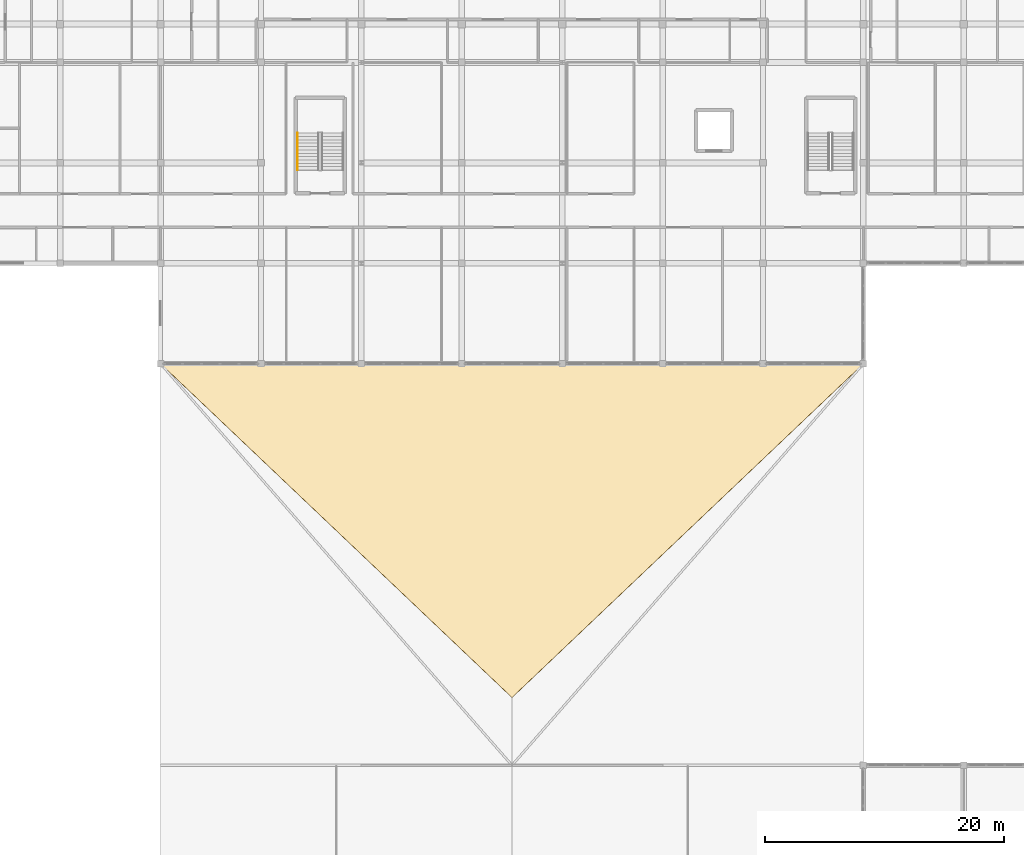
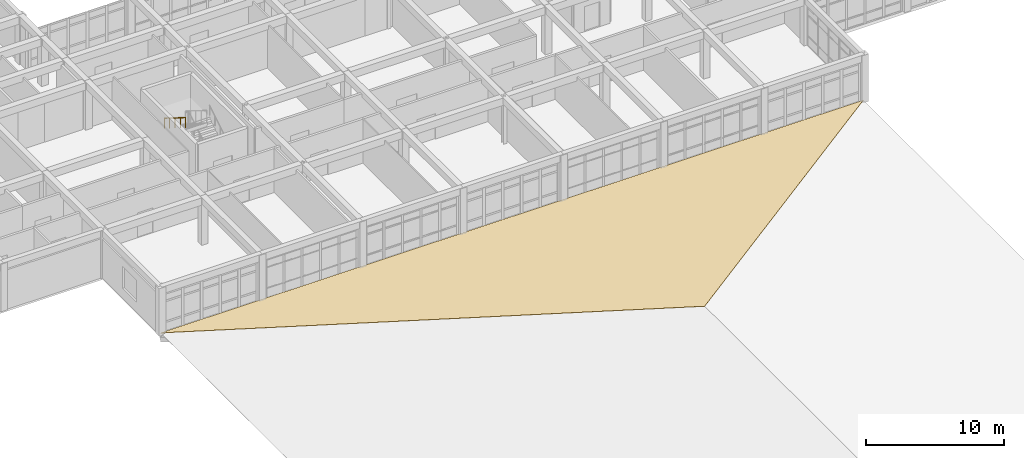
# One storey, part 67 of 77: 1 covering, 1 railing, 1 element without a shape of its own.
"""IFC4 building model written with IfcOpenShell, lengths in metres."""

import ifcopenshell
import ifcopenshell.guid

model = None  # the IFC model being written
_history = None  # IfcOwnerHistory: only IFC2X3 demands one
_inside = {}  # id of a spatial element -> (the spatial element, [elements in it])
_under = {}  # id of a project, library or spatial element -> (it, [spatial elements below it])
_declared = {}  # id of a project -> (the project, [libraries it declares])
_typed = {}  # id of a type object -> (the type object, [elements of that type])
_made_of = {}  # id of a material, layer set ... -> (it, [elements and type objects made of it])


def new_model(schema):
    """Start an empty IFC model of exactly this schema.

    Asked for "IFC4X3", IfcOpenShell would pick the latest addendum, in which some entities
    have other attributes; the version numbers below select the first issue.
    IFC2X3 requires an IfcOwnerHistory on every rooted entity: one is made here for all.
    """
    global model, _history
    if schema == "IFC4X3":
        model = ifcopenshell.file(schema_version=(4, 3, 0, 0))
    else:
        model = ifcopenshell.file(schema=schema)
    _inside.clear()
    _under.clear()
    _declared.clear()
    _typed.clear()
    _made_of.clear()
    _history = None
    if model.schema == "IFC2X3":
        org = make("IfcOrganization", Name="unknown")
        user = make(
            "IfcPersonAndOrganization",
            ThePerson=make("IfcPerson", FamilyName="unknown"),
            TheOrganization=org,
        )
        app = make(
            "IfcApplication",
            ApplicationDeveloper=org,
            Version="unknown",
            ApplicationFullName="unknown",
            ApplicationIdentifier="unknown",
        )
        _history = make(
            "IfcOwnerHistory",
            OwningUser=user,
            OwningApplication=app,
            ChangeAction="ADDED",
            CreationDate=0,
        )
    return model


def make(cls, **values):
    """One entity of the class cls with the attributes given. An attribute that is None is left unset."""
    return model.create_entity(
        cls, **{name: value for name, value in values.items() if value is not None}
    )


def rooted(cls, **values):
    """An entity with a GlobalId (a new one), such as an element, a storey or a relation."""
    return make(cls, GlobalId=ifcopenshell.guid.new(), OwnerHistory=_history, **values)


def si_unit(unit_type, name, prefix=None):
    """IfcSIUnit, for example si_unit("LENGTHUNIT", "METRE", prefix="MILLI")."""
    return make("IfcSIUnit", UnitType=unit_type, Prefix=prefix, Name=name)


def assignment(units):
    """IfcUnitAssignment: the units of a project."""
    return None if units is None else make("IfcUnitAssignment", Units=units)


def point(xyz):
    """IfcCartesianPoint."""
    return None if xyz is None else make("IfcCartesianPoint", Coordinates=xyz)


def direction(xyz):
    """IfcDirection."""
    return None if xyz is None else make("IfcDirection", DirectionRatios=xyz)


def frame(location, z_axis=None, x_axis=None):
    """IfcAxis2Placement3D, a coordinate frame: its origin and axes. An axis left out is left unset."""
    return make(
        "IfcAxis2Placement3D",
        Location=point(location),
        Axis=direction(z_axis),
        RefDirection=direction(x_axis),
    )


def frame_2d(location, x_axis=None):
    """IfcAxis2Placement2D, a coordinate frame in the plane: its origin and x axis."""
    return make(
        "IfcAxis2Placement2D", Location=point(location), RefDirection=direction(x_axis)
    )


def origin():
    """The frame at (0, 0, 0) with its axes left unset."""
    return frame((0.0, 0.0, 0.0))


def origin_2d():
    """The frame at (0, 0) in the plane with its x axis left unset."""
    return frame_2d((0.0, 0.0))


def place(relative_to, where):
    """IfcLocalPlacement: puts the frame where relative to a parent placement (None: the world)."""
    return make(
        "IfcLocalPlacement", PlacementRelTo=relative_to, RelativePlacement=where
    )


def context(
    kind, dimensions, precision=None, world=None, true_north=None, identifier=None
):
    """IfcGeometricRepresentationContext, for example the 3D "Model" context."""
    return make(
        "IfcGeometricRepresentationContext",
        ContextIdentifier=identifier,
        ContextType=kind,
        CoordinateSpaceDimension=dimensions,
        Precision=precision,
        WorldCoordinateSystem=world,
        TrueNorth=true_north,
    )


def subcontext(parent, identifier, kind, view, scale=None):
    """IfcGeometricRepresentationSubContext, for example "Body" below "Model"."""
    return make(
        "IfcGeometricRepresentationSubContext",
        ContextIdentifier=identifier,
        ContextType=kind,
        ParentContext=parent,
        TargetScale=scale,
        TargetView=view,
    )


def project(units=None, contexts=None):
    """IfcProject with its units and contexts."""
    return rooted(
        "IfcProject",
        Name="project",
        RepresentationContexts=contexts,
        UnitsInContext=assignment(units),
    )


def spatial(cls, under=None, at=None, **own):
    """A site, building, storey or space (cls), placed at a placement, below another one or the project."""
    s = rooted(cls, ObjectPlacement=at, **own)
    if under is not None:
        _under.setdefault(under.id(), (under, []))[1].append(s)
    return s


def polyline(points):
    """IfcPolyline through the points."""
    return make("IfcPolyline", Points=[point(p) for p in points])


def profile(cls, at=None, kind="AREA", **sizes):
    """A parametric profile (cls). Its sizes go by their IFC names, for example OverallWidth=200.0."""
    return make(cls, ProfileType=kind, Position=at, **sizes)


def circle(**sizes):
    """IfcCircleProfileDef."""
    return profile("IfcCircleProfileDef", **sizes)


def outline(outer, holes=None, kind="AREA"):
    """IfcArbitraryClosedProfileDef: a profile drawn as a closed curve; with holes, ...WithVoids."""
    if holes is None:
        return make("IfcArbitraryClosedProfileDef", ProfileType=kind, OuterCurve=outer)
    return make(
        "IfcArbitraryProfileDefWithVoids",
        ProfileType=kind,
        OuterCurve=outer,
        InnerCurves=holes,
    )


def extrude(swept, where, along, depth):
    """IfcExtrudedAreaSolid: the profile swept, set in the frame where, extruded along a direction by depth."""
    return make(
        "IfcExtrudedAreaSolid",
        SweptArea=swept,
        Position=where,
        ExtrudedDirection=direction(along),
        Depth=depth,
    )


def shape(context_of_items, identifier, shape_type, items):
    """IfcShapeRepresentation: the items that make up one representation, for example the "Body"."""
    return make(
        "IfcShapeRepresentation",
        ContextOfItems=context_of_items,
        RepresentationIdentifier=identifier,
        RepresentationType=shape_type,
        Items=items,
    )


def material(Name=None, Category=None):
    """IfcMaterial."""
    return make("IfcMaterial", Name=Name, Category=Category)


def layer(
    of_material, thickness, ventilated=None, Name=None, Category=None, Priority=None
):
    """IfcMaterialLayer: one layer of a wall or slab, of a material (None: an air gap)."""
    return make(
        "IfcMaterialLayer",
        Material=of_material,
        LayerThickness=thickness,
        IsVentilated=ventilated,
        Name=Name,
        Category=Category,
        Priority=Priority,
    )


def layer_set(layers, Name=None):
    """IfcMaterialLayerSet."""
    return make("IfcMaterialLayerSet", MaterialLayers=layers, LayerSetName=Name)


def made_of(thing, what):
    """Note that an element or type object is made of a material, layer set ...; save() writes the relation."""
    if what is not None:
        _made_of.setdefault(what.id(), (what, []))[1].append(thing)
    return thing


def type_object(cls, material=None, **own):
    """A type object (cls), such as IfcWallType, which elements share."""
    return made_of(rooted(cls, **own), material)


def element(
    cls,
    number,
    at=None,
    inside=None,
    cuts=None,
    type_object=None,
    material=None,
    context=None,
    identifier="Body",
    shape_type=None,
    held_by="IfcProductDefinitionShape",
    body=None,
    shapes=None,
    **own,
):
    """One element of the class cls, such as IfcWall. Its Tag is "e" and its number.

    at: its placement. inside: the storey or other place that contains it. cuts: it is an
    opening in that element (IfcRelVoidsElement). A single representation is given by context,
    identifier, shape_type and body (its items); several are given by shapes. held_by: the class
    of the entity that holds the representations. save() writes the other relations.
    """
    e = rooted(cls, Tag="e%d" % number, ObjectPlacement=at, **own)
    if body is not None:
        shapes = [shape(context, identifier, shape_type, body)]
    if shapes is not None:
        e.Representation = make(held_by, Representations=shapes)
    if inside is not None:
        _inside.setdefault(inside.id(), (inside, []))[1].append(e)
    if cuts is not None:
        rooted(
            "IfcRelVoidsElement", RelatingBuildingElement=cuts, RelatedOpeningElement=e
        )
    if type_object is not None:
        _typed.setdefault(type_object.id(), (type_object, []))[1].append(e)
    return made_of(e, material)


def aggregate(whole, parts):
    """IfcRelAggregates: a whole, such as a stair, and the parts it consists of."""
    return rooted("IfcRelAggregates", RelatingObject=whole, RelatedObjects=parts)


def save(model, path):
    """Write the relations noted so far, then the file.

    IfcRelAggregates (storeys below a building ...), IfcRelContainedInSpatialStructure (elements
    in a storey), IfcRelDefinesByType, IfcRelAssociatesMaterial and IfcRelDeclares: one each for
    every whole, place, type object, material and project.
    """
    for whole, parts in _under.values():
        aggregate(whole, parts)
    for where, things in _inside.values():
        rooted(
            "IfcRelContainedInSpatialStructure",
            RelatedElements=things,
            RelatingStructure=where,
        )
    for kind, things in _typed.values():
        rooted("IfcRelDefinesByType", RelatedObjects=things, RelatingType=kind)
    for what, things in _made_of.values():
        rooted("IfcRelAssociatesMaterial", RelatedObjects=things, RelatingMaterial=what)
    for by, libraries in _declared.values():
        rooted("IfcRelDeclares", RelatingContext=by, RelatedDefinitions=libraries)
    model.write(path)


model = new_model("IFC4")

# Units and contexts
model_context = context("Model", 3, precision=1e-05, world=origin(), true_north=direction((0.0, 1.0)))
body_context = subcontext(model_context, "Body", "Model", "MODEL_VIEW")
ifc_project = project(units=[si_unit("LENGTHUNIT", "METRE"), si_unit("AREAUNIT", "SQUARE_METRE"), si_unit("VOLUMEUNIT", "CUBIC_METRE"), si_unit("PLANEANGLEUNIT", "RADIAN"), si_unit("MASSUNIT", "GRAM", prefix="KILO")], contexts=[model_context])

# Site, building, storey
site_placement = place(None, origin())
site = spatial("IfcSite", under=ifc_project, at=site_placement, CompositionType="ELEMENT")
building_placement = place(site_placement, origin())
building = spatial("IfcBuilding", under=site, at=building_placement, Name="Varncliffe General Hospital", CompositionType="ELEMENT")
storey_placement = place(building_placement, frame((0.0, 0.0, 16.199951171875)))
storey = spatial("IfcBuildingStorey", under=building, at=storey_placement, Name="L03", CompositionType="ELEMENT", Elevation=16.199951171875)

# Railing
ifc_material_1 = material(Name="Powder-coated hospital steel guardrail and handrail", Category="steel")
railing_type = type_object("IfcRailingType", Name="Stair and Ramp Handrail HR46", PredefinedType="HANDRAIL", material=ifc_material_1)
railing_placement = place(storey_placement, frame((70.25, 93.679931640625, 2.4541015625)))
element("IfcRailing", 1, at=railing_placement, inside=storey, type_object=railing_type, Name="L03 ST12 stair handrail 2", PredefinedType="HANDRAIL", context=body_context, shape_type="SweptSolid", body=[
    extrude(circle(Radius=0.02392578125, at=origin_2d()), frame((0.0, 0.0, 0.8759765625), z_axis=(0.0, -0.847979421464, 0.530029150871), x_axis=(1.0, 0.0, 0.0)), (0.0, 0.0, 1.0), 3.632080078125),
    extrude(circle(Radius=0.02099609375, at=origin_2d()), origin(), (0.0, 0.0, 1.0), 0.851806640625),
    extrude(circle(Radius=0.02099609375, at=origin_2d()), frame((0.0, -0.77001953125, 0.481201171875)), (0.0, 0.0, 1.0), 0.851806640625),
    extrude(circle(Radius=0.02099609375, at=origin_2d()), frame((0.0, -1.5400390625, 0.96240234375)), (0.0, 0.0, 1.0), 0.851806640625),
    extrude(circle(Radius=0.02099609375, at=origin_2d()), frame((0.0, -2.309814453125, 1.44384765625)), (0.0, 0.0, 1.0), 0.851806640625),
    extrude(circle(Radius=0.02099609375, at=origin_2d()), frame((0.0, -3.079833984375, 1.925048828125)), (0.0, 0.0, 1.0), 0.851806640625),
])

# Roof, covering
ifc_material_2 = material(Name="Terracotta clay roof tile over waterproof membrane", Category="masonry")
roof_type = type_object("IfcRoofType", Name="Hipped Clay-Tile Roof Assembly HR20", PredefinedType="HIP_ROOF", material=ifc_material_2)
roof_placement = place(storey_placement, origin())
roof = element("IfcRoof", 2, at=roof_placement, inside=storey, type_object=roof_type, Name="L03 Hipped Roof RF-V1-MAIN", PredefinedType="HIP_ROOF")
ifc_layer = layer(ifc_material_2, 0.044921875)
ifc_layer_set = layer_set([ifc_layer], Name="Terracotta clay roof tile over waterproof membrane")
covering_type = type_object("IfcCoveringType", Name="Terracotta Clay Tile Roofing RFG24", PredefinedType="ROOFING", material=ifc_layer_set)
covering_placement = place(storey_placement, frame((117.60009765625, 74.39990234375, 0.045166015625), z_axis=(0.0, 0.306704738421, 0.951804708661), x_axis=(-1.0, 0.0, 0.0)))
covering = element("IfcCovering", 3, at=covering_placement, type_object=covering_type, Name="L03 RF-V1-MAIN Terracotta Clay Tile Slope N", PredefinedType="ROOFING", context=body_context, shape_type="SweptSolid", body=[
    extrude(outline(polyline([(0.0, 0.0), (58.800048828125, 0.0), (29.400146484375, 29.344183093928265), (0.0, 0.0)])), origin(), (0.0, 0.0, -1.0), 0.044921875),
])
aggregate(roof, [covering])

save(model, "model.ifc")
